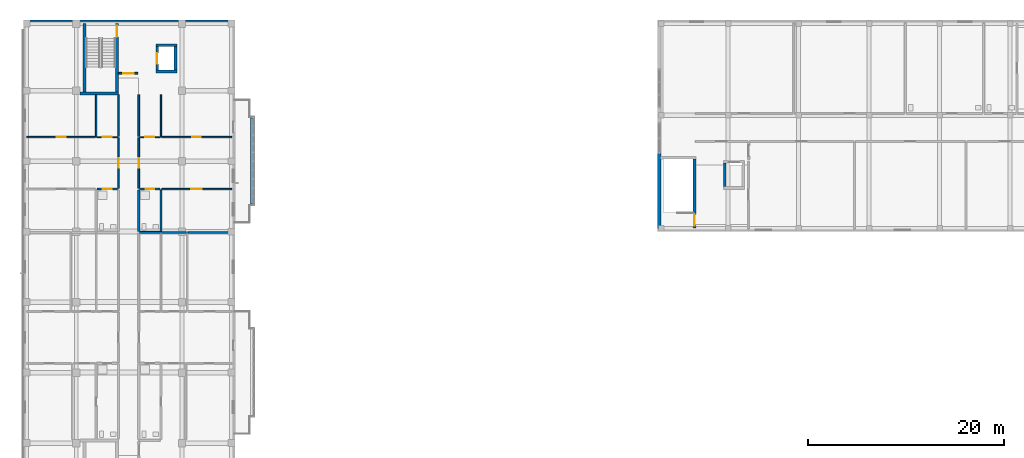
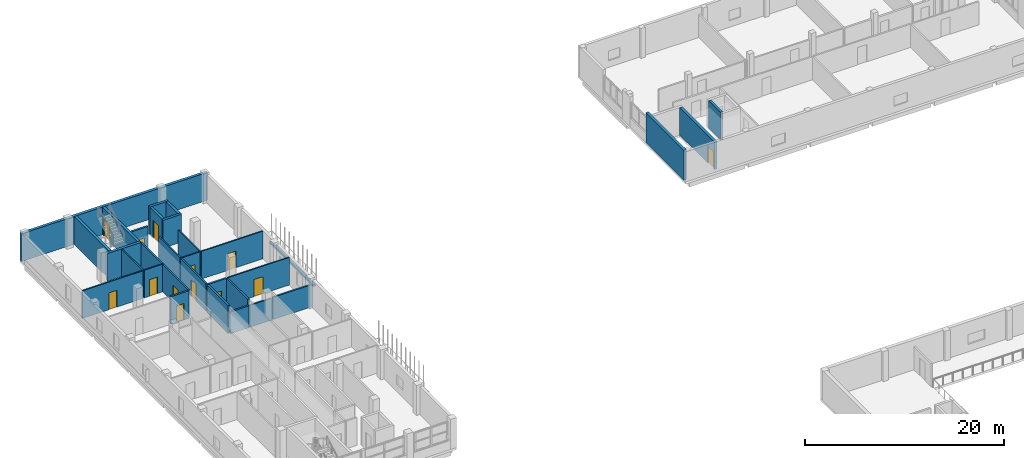
# One storey, part 43 of 73: 31 walls, 13 doors, 13 openings.
"""IFC4 building model written with IfcOpenShell, lengths in metres."""

from ifc_helpers import new_model, si_unit, derived_unit, direction, frame, frame_2d, origin, place, context, subcontext, project, spatial, rectangle, extrude, material, layer, layer_set, type_object, element, fill, save


model = new_model("IFC4")

# Units and contexts
model_context = context("Model", 3, precision=1e-05, world=origin(), true_north=direction((0.0, 1.0)))
body_context = subcontext(model_context, "Body", "Model", "MODEL_VIEW")
ifc_project = project(units=[si_unit("LENGTHUNIT", "METRE"), si_unit("AREAUNIT", "SQUARE_METRE"), si_unit("VOLUMEUNIT", "CUBIC_METRE"), si_unit("PLANEANGLEUNIT", "RADIAN"), si_unit("MASSUNIT", "GRAM", prefix="KILO"), derived_unit("THERMALTRANSMITTANCEUNIT", [(si_unit("MASSUNIT", "GRAM", prefix="KILO"), 1), (si_unit("TIMEUNIT", "SECOND"), -3), (si_unit("THERMODYNAMICTEMPERATUREUNIT", "KELVIN"), -1)])], contexts=[model_context])

# Site, building, storey
site_placement = place(None, origin())
site = spatial("IfcSite", under=ifc_project, at=site_placement, CompositionType="ELEMENT")
building_placement = place(site_placement, origin())
building = spatial("IfcBuilding", under=site, at=building_placement, Name="Ochrekiln Boulevard Commons", CompositionType="ELEMENT")
storey_placement = place(building_placement, frame((0.0, 0.0, 4.89990234375)))
storey = spatial("IfcBuildingStorey", under=building, at=storey_placement, Name="L01", CompositionType="ELEMENT", Elevation=4.89990234375)

# Walls
ifc_material_1 = material(Name="Desert ochre clinker brick masonry ASTM C216 Grade SW", Category="masonry")
ifc_layer_1 = layer(ifc_material_1, 0.320068359375)
ifc_layer_set_1 = layer_set([ifc_layer_1], Name="Desert ochre clinker brick masonry ASTM C216 Grade SW")
wall_type_1 = type_object("IfcWallType", Name="WL-EXT-OCHRE-320", PredefinedType="SOLIDWALL", material=ifc_layer_set_1)
wall_1_placement = place(storey_placement, frame((0.0, 118.639892578125, 0.0), z_axis=(0.0, 0.0, 1.0), x_axis=(1.0, 0.0, 0.0)))
element("IfcWall", 1, at=wall_1_placement, inside=storey, type_object=wall_type_1, Name="Block A L01 N Exterior Wall", PredefinedType="SOLIDWALL", context=body_context, shape_type="SweptSolid", body=[
    extrude(rectangle(XDim=21.60009765625, YDim=0.320068359375, at=frame_2d((10.800048828125, 0.0))), origin(), (0.0, 0.0, 1.0), 3.4150390625),
])
wall_2_placement = place(storey_placement, frame((64.9599609375, 97.52001953125, 0.0), z_axis=(0.0, 0.0, 1.0), x_axis=(0.0, 1.0, 0.0)))
element("IfcWall", 2, at=wall_2_placement, inside=storey, type_object=wall_type_1, Name="Nursery Pavilion L01 W South Pier Wall", PredefinedType="SOLIDWALL", context=body_context, shape_type="SweptSolid", body=[
    extrude(rectangle(XDim=7.64990234375, YDim=0.320068359375, at=frame_2d((3.824951171875, 0.0))), origin(), (0.0, 0.0, 1.0), 3.675048828125),
])

# Wall, opening, door
ifc_material_2 = material(Name="Moisture-resistant cementitious tile backer wall")
ifc_layer_2 = layer(ifc_material_2, 0.199951171875)
ifc_layer_set_2 = layer_set([ifc_layer_2], Name="Moisture-resistant cementitious tile backer wall")
wall_type_2 = type_object("IfcWallType", Name="WL-PLM-200", PredefinedType="PLUMBINGWALL", material=ifc_layer_set_2)
wall_3_placement = place(storey_placement, frame((7.52001953125, 101.547119140625, 0.0), z_axis=(0.0, 0.0, 1.0), x_axis=(1.0, 0.0, 0.0)))
wall_3 = element("IfcWall", 3, at=wall_3_placement, inside=storey, type_object=wall_type_2, Name="L01 Interior Wall W-PW200", PredefinedType="PLUMBINGWALL", context=body_context, shape_type="SweptSolid", body=[
    extrude(rectangle(XDim=2.10791015625, YDim=0.199951171875, at=frame_2d((1.053955078125, 0.0))), origin(), (0.0, 0.0, 1.0), 3.39501953125),
])
opening_1_placement = place(wall_3_placement, frame((0.60498046875, 0.0, 0.0)))
opening_1 = element("IfcOpeningElement", 4, at=opening_1_placement, cuts=wall_3, Name="Opening D-L01-162", PredefinedType="OPENING", context=body_context, shape_type="SweptSolid", body=[
    extrude(rectangle(XDim=0.889892578125, YDim=2.030029296875, at=frame_2d((0.44482421875, 1.01513671875))), frame((0.0, 0.10986328125, 0.0), z_axis=(0.0, -1.0, 0.0), x_axis=(1.0, 0.0, 0.0)), (0.0, 0.0, 1.0), 0.219970703125),
])
ifc_material_3 = material(Name="Solid core architectural oak door leaf")
door_type_1 = type_object("IfcDoorType", Name="DR-INT-BTH-089", OperationType="NOTDEFINED", PredefinedType="DOOR", material=ifc_material_3)
door_1_placement = place(opening_1_placement, frame((0.889892578125, 0.0, 0.0), z_axis=(0.0, 0.0, 1.0), x_axis=(-1.0, 0.0, 0.0)))
door_1 = element("IfcDoor", 5, at=door_1_placement, inside=storey, type_object=door_type_1, Name="L01 Interior Door to Apartment Bathroom", OperationType="SINGLE_SWING_RIGHT", OverallHeight=2.030029296875, OverallWidth=0.889892578125, PredefinedType="DOOR", context=body_context, shape_type="SweptSolid", body=[
    extrude(rectangle(XDim=0.889892578125, YDim=2.030029296875, at=frame_2d((0.44482421875, 1.01513671875))), frame((0.0, 0.02490234375, 0.0), z_axis=(0.0, -1.0, 0.0), x_axis=(1.0, 0.0, 0.0)), (0.0, 0.0, 1.0), 0.050048828125),
])
fill(opening_1, door_1)

# Wall
wall_4_placement = place(storey_placement, frame((11.8720703125, 97.1201171875, 0.0), z_axis=(0.0, 0.0, 1.0), x_axis=(1.0, 0.0, 0.0)))
element("IfcWall", 6, at=wall_4_placement, inside=storey, type_object=wall_type_2, Name="L01 Interior Wall W-PW200", PredefinedType="PLUMBINGWALL", context=body_context, shape_type="SweptSolid", body=[
    extrude(rectangle(XDim=2.1279296875, YDim=0.199951171875, at=frame_2d((1.06396484375, 0.0))), origin(), (0.0, 0.0, 1.0), 2.68505859375),
])

# Wall, opening, door
wall_5_placement = place(storey_placement, frame((11.8720703125, 101.547119140625, 0.0), z_axis=(0.0, 0.0, 1.0), x_axis=(1.0, 0.0, 0.0)))
wall_5 = element("IfcWall", 7, at=wall_5_placement, inside=storey, type_object=wall_type_2, Name="L01 Interior Wall W-PW200", PredefinedType="PLUMBINGWALL", context=body_context, shape_type="SweptSolid", body=[
    extrude(rectangle(XDim=2.10791015625, YDim=0.199951171875, at=frame_2d((1.053955078125, 0.0))), origin(), (0.0, 0.0, 1.0), 3.39501953125),
])
opening_2_placement = place(wall_5_placement, frame((0.613037109375, 0.0, 0.0)))
opening_2 = element("IfcOpeningElement", 8, at=opening_2_placement, cuts=wall_5, Name="Opening D-L01-173", PredefinedType="OPENING", context=body_context, shape_type="SweptSolid", body=[
    extrude(rectangle(XDim=0.889892578125, YDim=2.030029296875, at=frame_2d((0.44482421875, 1.01513671875))), frame((0.0, 0.10986328125, 0.0), z_axis=(0.0, -1.0, 0.0), x_axis=(1.0, 0.0, 0.0)), (0.0, 0.0, 1.0), 0.219970703125),
])
door_2_placement = place(opening_2_placement, frame((0.889892578125, 0.0, 0.0), z_axis=(0.0, 0.0, 1.0), x_axis=(-1.0, 0.0, 0.0)))
door_2 = element("IfcDoor", 9, at=door_2_placement, inside=storey, type_object=door_type_1, Name="L01 Interior Door to Apartment Bathroom", OperationType="SINGLE_SWING_LEFT", OverallHeight=2.030029296875, OverallWidth=0.889892578125, PredefinedType="DOOR", context=body_context, shape_type="SweptSolid", body=[
    extrude(rectangle(XDim=0.889892578125, YDim=2.030029296875, at=frame_2d((0.44482421875, 1.01513671875))), frame((0.0, 0.02490234375, 0.0), z_axis=(0.0, -1.0, 0.0), x_axis=(1.0, 0.0, 0.0)), (0.0, 0.0, 1.0), 0.050048828125),
])
fill(opening_2, door_2)

# Walls
wall_6_placement = place(storey_placement, frame((14.06005859375, 97.2099609375, 0.0), z_axis=(0.0, 0.0, 1.0), x_axis=(0.0, 1.0, 0.0)))
element("IfcWall", 10, at=wall_6_placement, inside=storey, type_object=wall_type_2, Name="L01 Interior Wall W-PW200", PredefinedType="PLUMBINGWALL", context=body_context, shape_type="SweptSolid", body=[
    extrude(rectangle(XDim=4.257080078125, YDim=0.199951171875, at=frame_2d((2.12841796875, 0.0))), origin(), (0.0, 0.0, 1.0), 3.39501953125),
])
ifc_layer_3 = layer(ifc_material_2, 0.219970703125)
ifc_layer_set_3 = layer_set([ifc_layer_3], Name="Moisture-resistant cementitious tile backer wall")
wall_type_3 = type_object("IfcWallType", Name="WL-PLM-220", PredefinedType="PLUMBINGWALL", material=ifc_layer_set_3)
wall_7_placement = place(storey_placement, frame((11.7900390625, 97.2099609375, 0.0), z_axis=(0.0, 0.0, 1.0), x_axis=(0.0, 1.0, 0.0)))
element("IfcWall", 11, at=wall_7_placement, inside=storey, type_object=wall_type_3, Name="L01 Interior Wall W-PW220", PredefinedType="PLUMBINGWALL", context=body_context, shape_type="SweptSolid", body=[
    extrude(rectangle(XDim=4.257080078125, YDim=0.219970703125, at=frame_2d((2.12841796875, 0.0))), origin(), (0.0, 0.0, 1.0), 3.39501953125),
])
ifc_material_4 = material(Name="Glazed architectural terracotta ASTM C1405", Category="masonry")
ifc_layer_4 = layer(ifc_material_4, 0.25)
ifc_layer_set_4 = layer_set([ifc_layer_4], Name="Glazed architectural terracotta ASTM C1405")
wall_type_4 = type_object("IfcWallType", Name="WL-PLN-250", PredefinedType="PARAPET", material=ifc_layer_set_4)
wall_8_placement = place(storey_placement, frame((23.320068359375, 100.010009765625, 0.0), z_axis=(0.0, 0.0, 1.0), x_axis=(0.0, 1.0, 0.0)))
element("IfcWall", 12, at=wall_8_placement, inside=storey, type_object=wall_type_4, Name="Block A L01 Balcony Terracotta Planter Box 2", PredefinedType="PARAPET", context=body_context, shape_type="SweptSolid", body=[
    extrude(rectangle(XDim=8.780029296875, YDim=0.25, at=frame_2d((4.39013671875, 0.0))), origin(), (0.0, 0.0, 1.0), 0.22998046875),
])

# Wall, opening, door
ifc_material_5 = material(Name="Fire-rated Type X gypsum board on steel studs", Category="steel")
ifc_layer_5 = layer(ifc_material_5, 0.1650390625)
ifc_layer_set_5 = layer_set([ifc_layer_5], Name="Fire-rated Type X gypsum board on steel studs")
wall_type_5 = type_object("IfcWallType", Name="WL-PT-CORR-165", PredefinedType="PARTITIONING", material=ifc_layer_set_5)
wall_9_placement = place(storey_placement, frame((9.7099609375, 101.626953125, 0.0), z_axis=(0.0, 0.0, 1.0), x_axis=(0.0, 1.0, 0.0)))
wall_9 = element("IfcWall", 13, at=wall_9_placement, inside=storey, type_object=wall_type_5, Name="L01 Interior Wall W-PC165", PredefinedType="PARTITIONING", context=body_context, shape_type="SweptSolid", body=[
    extrude(rectangle(XDim=5.156005859375, YDim=0.1650390625, at=frame_2d((2.578125, 0.0))), origin(), (0.0, 0.0, 1.0), 3.39501953125),
])
opening_3_placement = place(wall_9_placement, frame((2.087890625, 0.0, 0.0)))
opening_3 = element("IfcOpeningElement", 14, at=opening_3_placement, cuts=wall_9, Name="Opening D-L01-152", PredefinedType="OPENING", context=body_context, shape_type="SweptSolid", body=[
    extrude(rectangle(XDim=0.97998046875, YDim=2.080078125, at=frame_2d((0.489990234375, 1.0400390625))), frame((0.0, 0.092529296875, 0.0), z_axis=(0.0, -1.0, 0.0), x_axis=(1.0, 0.0, 0.0)), (0.0, 0.0, 1.0), 0.18505859375),
])
door_type_2 = type_object("IfcDoorType", Name="DR-APT-60", OperationType="NOTDEFINED", PredefinedType="DOOR", material=ifc_material_3)
door_3_placement = place(opening_3_placement, origin())
door_3 = element("IfcDoor", 15, at=door_3_placement, inside=storey, type_object=door_type_2, Name="L01 Interior Door to Two-Bedroom Apartment Living Room", OperationType="SINGLE_SWING_RIGHT", OverallHeight=2.080078125, OverallWidth=0.97998046875, PredefinedType="DOOR", context=body_context, shape_type="SweptSolid", body=[
    extrude(rectangle(XDim=0.97998046875, YDim=2.080078125, at=frame_2d((0.489990234375, 1.0400390625))), frame((0.0, 0.02490234375, 0.0), z_axis=(0.0, -1.0, 0.0), x_axis=(1.0, 0.0, 0.0)), (0.0, 0.0, 1.0), 0.050048828125),
])
fill(opening_3, door_3)

# Wall
wall_10_placement = place(storey_placement, frame((9.7099609375, 106.943115234375, 0.0), z_axis=(0.0, 0.0, 1.0), x_axis=(0.0, 1.0, 0.0)))
element("IfcWall", 16, at=wall_10_placement, inside=storey, type_object=wall_type_5, Name="L01 Interior Wall W-PC165", PredefinedType="PARTITIONING", context=body_context, shape_type="SweptSolid", body=[
    extrude(rectangle(XDim=4.2568359375, YDim=0.1650390625, at=frame_2d((2.12841796875, 0.0))), origin(), (0.0, 0.0, 1.0), 3.39501953125),
])

# Wall, opening, door
wall_11_placement = place(storey_placement, frame((11.7900390625, 101.626953125, 0.0), z_axis=(0.0, 0.0, 1.0), x_axis=(0.0, 1.0, 0.0)))
wall_11 = element("IfcWall", 17, at=wall_11_placement, inside=storey, type_object=wall_type_5, Name="L01 Interior Wall W-PC165", PredefinedType="PARTITIONING", context=body_context, shape_type="SweptSolid", body=[
    extrude(rectangle(XDim=5.156005859375, YDim=0.1650390625, at=frame_2d((2.578125, 0.0))), origin(), (0.0, 0.0, 1.0), 3.39501953125),
])
opening_4_placement = place(wall_11_placement, frame((2.087890625, 0.0, 0.0)))
opening_4 = element("IfcOpeningElement", 18, at=opening_4_placement, cuts=wall_11, Name="Opening D-L01-154", PredefinedType="OPENING", context=body_context, shape_type="SweptSolid", body=[
    extrude(rectangle(XDim=0.97998046875, YDim=2.080078125, at=frame_2d((0.489990234375, 1.0400390625))), frame((0.0, 0.092529296875, 0.0), z_axis=(0.0, -1.0, 0.0), x_axis=(1.0, 0.0, 0.0)), (0.0, 0.0, 1.0), 0.18505859375),
])
door_4_placement = place(opening_4_placement, frame((0.97998046875, 0.0, 0.0), z_axis=(0.0, 0.0, 1.0), x_axis=(-1.0, 0.0, 0.0)))
door_4 = element("IfcDoor", 19, at=door_4_placement, inside=storey, type_object=door_type_2, Name="L01 Interior Door to Two-Bedroom Apartment Living Room", OperationType="SINGLE_SWING_RIGHT", OverallHeight=2.080078125, OverallWidth=0.97998046875, PredefinedType="DOOR", context=body_context, shape_type="SweptSolid", body=[
    extrude(rectangle(XDim=0.97998046875, YDim=2.080078125, at=frame_2d((0.489990234375, 1.0400390625))), frame((0.0, 0.02490234375, 0.0), z_axis=(0.0, -1.0, 0.0), x_axis=(1.0, 0.0, 0.0)), (0.0, 0.0, 1.0), 0.050048828125),
])
fill(opening_4, door_4)

# Walls
wall_12_placement = place(storey_placement, frame((11.7900390625, 106.943115234375, 0.0), z_axis=(0.0, 0.0, 1.0), x_axis=(0.0, 1.0, 0.0)))
element("IfcWall", 20, at=wall_12_placement, inside=storey, type_object=wall_type_5, Name="L01 Interior Wall W-PC165", PredefinedType="PARTITIONING", context=body_context, shape_type="SweptSolid", body=[
    extrude(rectangle(XDim=4.2568359375, YDim=0.1650390625, at=frame_2d((2.12841796875, 0.0))), origin(), (0.0, 0.0, 1.0), 3.39501953125),
])
ifc_layer_6 = layer(ifc_material_5, 0.179931640625)
ifc_layer_set_6 = layer_set([ifc_layer_6], Name="Fire-rated Type X gypsum board on steel studs")
wall_type_6 = type_object("IfcWallType", Name="WL-PT-DEM-180", PredefinedType="PARTITIONING", material=ifc_layer_set_6)
wall_13_placement = place(storey_placement, frame((16.81494140625, 97.1201171875, 0.0), z_axis=(0.0, 0.0, 1.0), x_axis=(1.0, 0.0, 0.0)))
element("IfcWall", 21, at=wall_13_placement, inside=storey, type_object=wall_type_6, Name="L01 Interior Wall W-PD180", PredefinedType="PARTITIONING", context=body_context, shape_type="SweptSolid", body=[
    extrude(rectangle(XDim=4.465087890625, YDim=0.179931640625, at=frame_2d((2.232421875, 0.0))), origin(), (0.0, 0.0, 1.0), 2.735107421875),
])
wall_14_placement = place(storey_placement, frame((14.1201171875, 97.1201171875, 0.0), z_axis=(0.0, 0.0, 1.0), x_axis=(1.0, 0.0, 0.0)))
element("IfcWall", 22, at=wall_14_placement, inside=storey, type_object=wall_type_6, Name="L01 Interior Wall W-PD180", PredefinedType="PARTITIONING", context=body_context, shape_type="SweptSolid", body=[
    extrude(rectangle(XDim=2.539794921875, YDim=0.179931640625, at=frame_2d((1.27001953125, 0.0))), origin(), (0.0, 0.0, 1.0), 2.68505859375),
])

# Wall, opening, door
ifc_layer_7 = layer(ifc_material_5, 0.18994140625)
ifc_layer_set_7 = layer_set([ifc_layer_7], Name="Fire-rated Type X gypsum board on steel studs")
wall_type_7 = type_object("IfcWallType", Name="WL-PT-LBY-190", PredefinedType="PARTITIONING", material=ifc_layer_set_7)
wall_15_placement = place(storey_placement, frame((9.699951171875, 113.3798828125, 0.0), z_axis=(0.0, 0.0, 1.0), x_axis=(1.0, 0.0, 0.0)))
wall_15 = element("IfcWall", 23, at=wall_15_placement, inside=storey, type_object=wall_type_7, Name="L01 Interior Wall W-PL190", PredefinedType="PARTITIONING", context=body_context, shape_type="SweptSolid", body=[
    extrude(rectangle(XDim=2.0, YDim=0.18994140625, at=frame_2d((1.0, 0.0))), origin(), (0.0, 0.0, 1.0), 3.39501953125),
])
opening_5_placement = place(wall_15_placement, frame((0.5, 0.0, 0.0)))
opening_5 = element("IfcOpeningElement", 24, at=opening_5_placement, cuts=wall_15, Name="Opening D-L01-149", PredefinedType="OPENING", context=body_context, shape_type="SweptSolid", body=[
    extrude(rectangle(XDim=1.10009765625, YDim=2.1201171875, at=frame_2d((0.550048828125, 1.06005859375))), frame((0.0, 0.10498046875, 0.0), z_axis=(0.0, -1.0, 0.0), x_axis=(1.0, 0.0, 0.0)), (0.0, 0.0, 1.0), 0.2099609375),
])
ifc_material_6 = material(Name="Hollow metal fire-rated steel door assembly", Category="steel")
door_type_3 = type_object("IfcDoorType", Name="DR-LOBBY-60", OperationType="NOTDEFINED", PredefinedType="DOOR", material=ifc_material_6)
door_5_placement = place(opening_5_placement, origin())
door_5 = element("IfcDoor", 25, at=door_5_placement, inside=storey, type_object=door_type_3, Name="L01 Interior Door to Fire Service Access Elevator Lobby", OperationType="SINGLE_SWING_LEFT", OverallHeight=2.1201171875, OverallWidth=1.10009765625, PredefinedType="DOOR", context=body_context, shape_type="SweptSolid", body=[
    extrude(rectangle(XDim=1.10009765625, YDim=2.1201171875, at=frame_2d((0.550048828125, 1.06005859375))), frame((0.0, 0.02490234375, 0.0), z_axis=(0.0, -1.0, 0.0), x_axis=(1.0, 0.0, 0.0)), (0.0, 0.0, 1.0), 0.050048828125),
])
fill(opening_5, door_5)

ifc_layer_8 = layer(ifc_material_5, 0.1201171875)
ifc_layer_set_8 = layer_set([ifc_layer_8], Name="Fire-rated Type X gypsum board on steel studs")
wall_type_8 = type_object("IfcWallType", Name="WL-PT-LGT-120", PredefinedType="PARTITIONING", material=ifc_layer_set_8)
wall_16_placement = place(storey_placement, frame((7.52001953125, 106.863037109375, 0.0), z_axis=(0.0, 0.0, 1.0), x_axis=(1.0, 0.0, 0.0)))
wall_16 = element("IfcWall", 26, at=wall_16_placement, inside=storey, type_object=wall_type_8, Name="L01 Interior Wall W-PL120", PredefinedType="PARTITIONING", context=body_context, shape_type="SweptSolid", body=[
    extrude(rectangle(XDim=2.10791015625, YDim=0.1201171875, at=frame_2d((1.053955078125, 0.0))), origin(), (0.0, 0.0, 1.0), 3.39501953125),
])
opening_6_placement = place(wall_16_placement, frame((0.590087890625, 0.0, 0.0)))
opening_6 = element("IfcOpeningElement", 27, at=opening_6_placement, cuts=wall_16, Name="Opening D-L01-163", PredefinedType="OPENING", context=body_context, shape_type="SweptSolid", body=[
    extrude(rectangle(XDim=0.919921875, YDim=2.02001953125, at=frame_2d((0.4599609375, 1.010009765625))), frame((0.0, 0.070068359375, 0.0), z_axis=(0.0, -1.0, 0.0), x_axis=(1.0, 0.0, 0.0)), (0.0, 0.0, 1.0), 0.14013671875),
])
door_type_4 = type_object("IfcDoorType", Name="DR-INT-KIT-092", OperationType="NOTDEFINED", PredefinedType="DOOR", material=ifc_material_3)
door_6_placement = place(opening_6_placement, origin())
door_6 = element("IfcDoor", 28, at=door_6_placement, inside=storey, type_object=door_type_4, Name="L01 Interior Door to Apartment Kitchen", OperationType="SINGLE_SWING_LEFT", OverallHeight=2.02001953125, OverallWidth=0.919921875, PredefinedType="DOOR", context=body_context, shape_type="SweptSolid", body=[
    extrude(rectangle(XDim=0.919921875, YDim=2.02001953125, at=frame_2d((0.4599609375, 1.010009765625))), frame((0.0, 0.02490234375, 0.0), z_axis=(0.0, -1.0, 0.0), x_axis=(1.0, 0.0, 0.0)), (0.0, 0.0, 1.0), 0.050048828125),
])
fill(opening_6, door_6)

wall_17_placement = place(storey_placement, frame((11.8720703125, 106.863037109375, 0.0), z_axis=(0.0, 0.0, 1.0), x_axis=(1.0, 0.0, 0.0)))
wall_17 = element("IfcWall", 29, at=wall_17_placement, inside=storey, type_object=wall_type_8, Name="L01 Interior Wall W-PL120", PredefinedType="PARTITIONING", context=body_context, shape_type="SweptSolid", body=[
    extrude(rectangle(XDim=2.10791015625, YDim=0.1201171875, at=frame_2d((1.053955078125, 0.0))), origin(), (0.0, 0.0, 1.0), 3.39501953125),
])
opening_7_placement = place(wall_17_placement, frame((0.597900390625, 0.0, 0.0)))
opening_7 = element("IfcOpeningElement", 30, at=opening_7_placement, cuts=wall_17, Name="Opening D-L01-174", PredefinedType="OPENING", context=body_context, shape_type="SweptSolid", body=[
    extrude(rectangle(XDim=0.919921875, YDim=2.02001953125, at=frame_2d((0.4599609375, 1.010009765625))), frame((0.0, 0.070068359375, 0.0), z_axis=(0.0, -1.0, 0.0), x_axis=(1.0, 0.0, 0.0)), (0.0, 0.0, 1.0), 0.14013671875),
])
door_7_placement = place(opening_7_placement, origin())
door_7 = element("IfcDoor", 31, at=door_7_placement, inside=storey, type_object=door_type_4, Name="L01 Interior Door to Apartment Kitchen", OperationType="SINGLE_SWING_RIGHT", OverallHeight=2.02001953125, OverallWidth=0.919921875, PredefinedType="DOOR", context=body_context, shape_type="SweptSolid", body=[
    extrude(rectangle(XDim=0.919921875, YDim=2.02001953125, at=frame_2d((0.4599609375, 1.010009765625))), frame((0.0, 0.02490234375, 0.0), z_axis=(0.0, -1.0, 0.0), x_axis=(1.0, 0.0, 0.0)), (0.0, 0.0, 1.0), 0.050048828125),
])
fill(opening_7, door_7)

ifc_layer_9 = layer(ifc_material_5, 0.14990234375)
ifc_layer_set_9 = layer_set([ifc_layer_9], Name="Fire-rated Type X gypsum board on steel studs")
wall_type_9 = type_object("IfcWallType", Name="WL-PT-STD-150", PredefinedType="PARTITIONING", material=ifc_layer_set_9)
wall_18_placement = place(storey_placement, frame((0.320068359375, 106.863037109375, 0.0), z_axis=(0.0, 0.0, 1.0), x_axis=(1.0, 0.0, 0.0)))
wall_18 = element("IfcWall", 32, at=wall_18_placement, inside=storey, type_object=wall_type_9, Name="L01 Interior Wall W-PS150", PredefinedType="PARTITIONING", context=body_context, shape_type="SweptSolid", body=[
    extrude(rectangle(XDim=7.0400390625, YDim=0.14990234375, at=frame_2d((3.52001953125, 0.0))), origin(), (0.0, 0.0, 1.0), 3.39501953125),
])
opening_8_placement = place(wall_18_placement, frame((3.06494140625, 0.0, 0.0)))
opening_8 = element("IfcOpeningElement", 33, at=opening_8_placement, cuts=wall_18, Name="Opening D-L01-165", PredefinedType="OPENING", context=body_context, shape_type="SweptSolid", body=[
    extrude(rectangle(XDim=0.93994140625, YDim=2.06005859375, at=frame_2d((0.469970703125, 1.030029296875))), frame((0.0, 0.0849609375, 0.0), z_axis=(0.0, -1.0, 0.0), x_axis=(1.0, 0.0, 0.0)), (0.0, 0.0, 1.0), 0.169921875),
])
door_type_5 = type_object("IfcDoorType", Name="DR-INT-BED-094", OperationType="NOTDEFINED", PredefinedType="DOOR", material=ifc_material_3)
door_8_placement = place(opening_8_placement, origin())
door_8 = element("IfcDoor", 34, at=door_8_placement, inside=storey, type_object=door_type_5, Name="L01 Interior Door to Secondary Apartment Bedroom", OperationType="SINGLE_SWING_LEFT", OverallHeight=2.06005859375, OverallWidth=0.93994140625, PredefinedType="DOOR", context=body_context, shape_type="SweptSolid", body=[
    extrude(rectangle(XDim=0.93994140625, YDim=2.06005859375, at=frame_2d((0.469970703125, 1.030029296875))), frame((0.0, 0.02490234375, 0.0), z_axis=(0.0, -1.0, 0.0), x_axis=(1.0, 0.0, 0.0)), (0.0, 0.0, 1.0), 0.050048828125),
])
fill(opening_8, door_8)

# Wall
wall_19_placement = place(storey_placement, frame((7.43994140625, 106.923095703125, 0.0), z_axis=(0.0, 0.0, 1.0), x_axis=(0.0, 1.0, 0.0)))
element("IfcWall", 35, at=wall_19_placement, inside=storey, type_object=wall_type_9, Name="L01 Interior Wall W-PS150", PredefinedType="PARTITIONING", context=body_context, shape_type="SweptSolid", body=[
    extrude(rectangle(XDim=4.27685546875, YDim=0.14990234375, at=frame_2d((2.138427734375, 0.0))), origin(), (0.0, 0.0, 1.0), 3.39501953125),
])

# Wall, opening, door
wall_20_placement = place(storey_placement, frame((14.139892578125, 101.547119140625, 0.0), z_axis=(0.0, 0.0, 1.0), x_axis=(1.0, 0.0, 0.0)))
wall_20 = element("IfcWall", 36, at=wall_20_placement, inside=storey, type_object=wall_type_9, Name="L01 Interior Wall W-PS150", PredefinedType="PARTITIONING", context=body_context, shape_type="SweptSolid", body=[
    extrude(rectangle(XDim=7.14013671875, YDim=0.14990234375, at=frame_2d((3.570068359375, 0.0))), origin(), (0.0, 0.0, 1.0), 3.39501953125),
])
opening_9_placement = place(wall_20_placement, frame((3.014892578125, 0.0, 0.0)))
opening_9 = element("IfcOpeningElement", 37, at=opening_9_placement, cuts=wall_20, Name="Opening D-L01-175", PredefinedType="OPENING", context=body_context, shape_type="SweptSolid", body=[
    extrude(rectangle(XDim=1.080078125, YDim=2.10009765625, at=frame_2d((0.5400390625, 1.050048828125))), frame((0.0, 0.0849609375, 0.0), z_axis=(0.0, -1.0, 0.0), x_axis=(1.0, 0.0, 0.0)), (0.0, 0.0, 1.0), 0.169921875),
])
door_type_6 = type_object("IfcDoorType", Name="DR-INT-BED-108", OperationType="NOTDEFINED", PredefinedType="DOOR", material=ifc_material_3)
door_9_placement = place(opening_9_placement, frame((1.080078125, 0.0, 0.0), z_axis=(0.0, 0.0, 1.0), x_axis=(-1.0, 0.0, 0.0)))
door_9 = element("IfcDoor", 38, at=door_9_placement, inside=storey, type_object=door_type_6, Name="L01 Interior Door to Primary Apartment Bedroom", OperationType="SINGLE_SWING_LEFT", OverallHeight=2.10009765625, OverallWidth=1.080078125, PredefinedType="DOOR", context=body_context, shape_type="SweptSolid", body=[
    extrude(rectangle(XDim=1.080078125, YDim=2.10009765625, at=frame_2d((0.5400390625, 1.050048828125))), frame((0.0, 0.02490234375, 0.0), z_axis=(0.0, -1.0, 0.0), x_axis=(1.0, 0.0, 0.0)), (0.0, 0.0, 1.0), 0.050048828125),
])
fill(opening_9, door_9)

wall_21_placement = place(storey_placement, frame((14.139892578125, 106.863037109375, 0.0), z_axis=(0.0, 0.0, 1.0), x_axis=(1.0, 0.0, 0.0)))
wall_21 = element("IfcWall", 39, at=wall_21_placement, inside=storey, type_object=wall_type_9, Name="L01 Interior Wall W-PS150", PredefinedType="PARTITIONING", context=body_context, shape_type="SweptSolid", body=[
    extrude(rectangle(XDim=7.14013671875, YDim=0.14990234375, at=frame_2d((3.570068359375, 0.0))), origin(), (0.0, 0.0, 1.0), 3.39501953125),
])
opening_10_placement = place(wall_21_placement, frame((3.10498046875, 0.0, 0.0)))
opening_10 = element("IfcOpeningElement", 40, at=opening_10_placement, cuts=wall_21, Name="Opening D-L01-176", PredefinedType="OPENING", context=body_context, shape_type="SweptSolid", body=[
    extrude(rectangle(XDim=0.89990234375, YDim=2.0400390625, at=frame_2d((0.449951171875, 1.02001953125))), frame((0.0, 0.0849609375, 0.0), z_axis=(0.0, -1.0, 0.0), x_axis=(1.0, 0.0, 0.0)), (0.0, 0.0, 1.0), 0.169921875),
])
door_type_7 = type_object("IfcDoorType", Name="DR-INT-BED-090", OperationType="NOTDEFINED", PredefinedType="DOOR", material=ifc_material_3)
door_10_placement = place(opening_10_placement, origin())
door_10 = element("IfcDoor", 41, at=door_10_placement, inside=storey, type_object=door_type_7, Name="L01 Interior Door to Secondary Apartment Bedroom", OperationType="SINGLE_SWING_RIGHT", OverallHeight=2.0400390625, OverallWidth=0.89990234375, PredefinedType="DOOR", context=body_context, shape_type="SweptSolid", body=[
    extrude(rectangle(XDim=0.89990234375, YDim=2.0400390625, at=frame_2d((0.449951171875, 1.02001953125))), frame((0.0, 0.02490234375, 0.0), z_axis=(0.0, -1.0, 0.0), x_axis=(1.0, 0.0, 0.0)), (0.0, 0.0, 1.0), 0.050048828125),
])
fill(opening_10, door_10)

# Walls
wall_22_placement = place(storey_placement, frame((14.06005859375, 106.923095703125, 0.0), z_axis=(0.0, 0.0, 1.0), x_axis=(0.0, 1.0, 0.0)))
element("IfcWall", 42, at=wall_22_placement, inside=storey, type_object=wall_type_9, Name="L01 Interior Wall W-PS150", PredefinedType="PARTITIONING", context=body_context, shape_type="SweptSolid", body=[
    extrude(rectangle(XDim=4.27685546875, YDim=0.14990234375, at=frame_2d((2.138427734375, 0.0))), origin(), (0.0, 0.0, 1.0), 3.39501953125),
])
ifc_material_7 = material(Name="Concrete C40/50", Category="concrete")
ifc_layer_10 = layer(ifc_material_7, 0.27490234375)
ifc_layer_set_10 = layer_set([ifc_layer_10], Name="Concrete C40/50")
wall_type_10 = type_object("IfcWallType", Name="WL-SH-275", PredefinedType="SHEAR", material=ifc_layer_set_10)
for number, where, z_axis, x_axis, name in (
    (43, (13.52490234375, 113.5625, 0.0), (0.0, 0.0, 1.0), (1.0, 0.0, 0.0), "Elevator FF-A2 L01 Hoistway Shear Wall"),
    (44, (13.52490234375, 116.237548828125, 0.0), (0.0, 0.0, 1.0), (1.0, 0.0, 0.0), "Elevator FF-A2 L01 Hoistway Shear Wall"),
):
    element("IfcWall", number, at=place(storey_placement, frame(where, z_axis=z_axis, x_axis=x_axis)), inside=storey, type_object=wall_type_10, Name=name, PredefinedType="SHEAR", context=body_context, shape_type="SweptSolid", body=[
        extrude(rectangle(XDim=2.150146484375, YDim=0.27490234375, at=frame_2d((1.0751953125, 0.0))), origin(), (0.0, 0.0, 1.0), 3.4150390625),
    ])

# Wall, opening, door
wall_23_placement = place(storey_placement, frame((13.66259765625, 113.699951171875, 0.0), z_axis=(0.0, 0.0, 1.0), x_axis=(0.0, 1.0, 0.0)))
wall_23 = element("IfcWall", 45, at=wall_23_placement, inside=storey, type_object=wall_type_10, Name="Elevator FF-A2 L01 Hoistway Shear Wall", PredefinedType="SHEAR", context=body_context, shape_type="SweptSolid", body=[
    extrude(rectangle(XDim=2.400146484375, YDim=0.27490234375, at=frame_2d((1.2001953125, 0.0))), origin(), (0.0, 0.0, 1.0), 3.4150390625),
])
opening_11_placement = place(wall_23_placement, frame((0.64990234375, 0.0, 0.0)))
opening_11 = element("IfcOpeningElement", 46, at=opening_11_placement, cuts=wall_23, Name="Opening LD-FF-A2-L01", PredefinedType="OPENING", context=body_context, shape_type="SweptSolid", body=[
    extrude(rectangle(XDim=1.10009765625, YDim=2.14990234375, at=frame_2d((0.550048828125, 1.074951171875))), frame((0.0, 0.1474609375, 0.0), z_axis=(0.0, -1.0, 0.0), x_axis=(1.0, 0.0, 0.0)), (0.0, 0.0, 1.0), 0.294921875),
])
ifc_material_8 = material(Name="Brushed stainless steel 316 elevator cab and doors", Category="steel")
door_type_8 = type_object("IfcDoorType", Name="DR-LIFT-LD90", OperationType="SLIDING_TO_LEFT", PredefinedType="DOOR", material=ifc_material_8)
door_11_placement = place(opening_11_placement, origin())
door_11 = element("IfcDoor", 47, at=door_11_placement, inside=storey, type_object=door_type_8, Name="Elevator FF-A2 L01 Sliding Landing Door LD-FF-A2-L01", OperationType="SLIDING_TO_LEFT", OverallHeight=2.14990234375, OverallWidth=1.10009765625, PredefinedType="DOOR", context=body_context, shape_type="SweptSolid", body=[
    extrude(rectangle(XDim=1.10009765625, YDim=2.14990234375, at=frame_2d((0.550048828125, 1.074951171875))), frame((0.0, 0.02490234375, 0.0), z_axis=(0.0, -1.0, 0.0), x_axis=(1.0, 0.0, 0.0)), (0.0, 0.0, 1.0), 0.050048828125),
])
fill(opening_11, door_11)

# Walls
wall_24_placement = place(storey_placement, frame((15.53759765625, 113.699951171875, 0.0), z_axis=(0.0, 0.0, 1.0), x_axis=(0.0, 1.0, 0.0)))
element("IfcWall", 48, at=wall_24_placement, inside=storey, type_object=wall_type_10, Name="Elevator FF-A2 L01 Hoistway Shear Wall", PredefinedType="SHEAR", context=body_context, shape_type="SweptSolid", body=[
    extrude(rectangle(XDim=2.400146484375, YDim=0.27490234375, at=frame_2d((1.2001953125, 0.0))), origin(), (0.0, 0.0, 1.0), 3.4150390625),
])
wall_25_placement = place(storey_placement, frame((71.66259765625, 101.800048828125, 0.0), z_axis=(0.0, 0.0, 1.0), x_axis=(0.0, 1.0, 0.0)))
element("IfcWall", 49, at=wall_25_placement, inside=storey, type_object=wall_type_10, Name="Elevator LP-N1 L01 Hoistway Shear Wall", PredefinedType="SHEAR", context=body_context, shape_type="SweptSolid", body=[
    extrude(rectangle(XDim=2.39990234375, YDim=0.27490234375, at=frame_2d((1.199951171875, 0.0))), origin(), (0.0, 0.0, 1.0), 3.405029296875),
])
ifc_layer_11 = layer(ifc_material_7, 0.300048828125)
ifc_layer_set_11 = layer_set([ifc_layer_11], Name="Concrete C40/50")
wall_type_11 = type_object("IfcWallType", Name="WL-SH-300", PredefinedType="SHEAR", material=ifc_layer_set_11)
wall_26_placement = place(storey_placement, frame((5.77490234375, 111.330078125, 0.0), z_axis=(0.0, 0.0, 1.0), x_axis=(1.0, 0.0, 0.0)))
element("IfcWall", 50, at=wall_26_placement, inside=storey, type_object=wall_type_11, Name="Stair ST-A2 L01 Core Shear Wall S", PredefinedType="SHEAR", context=body_context, shape_type="SweptSolid", body=[
    extrude(rectangle(XDim=3.925048828125, YDim=0.300048828125, at=frame_2d((1.96240234375, 0.0))), origin(), (0.0, 0.0, 1.0), 3.4150390625),
])
wall_27_placement = place(storey_placement, frame((6.25, 111.47998046875, 0.0), z_axis=(0.0, 0.0, 1.0), x_axis=(0.0, 1.0, 0.0)))
element("IfcWall", 51, at=wall_27_placement, inside=storey, type_object=wall_type_11, Name="Stair ST-A2 L01 Core Shear Wall W", PredefinedType="SHEAR", context=body_context, shape_type="SweptSolid", body=[
    extrude(rectangle(XDim=7.0, YDim=0.300048828125, at=frame_2d((3.5, 0.0))), origin(), (0.0, 0.0, 1.0), 3.4150390625),
])

# Wall, opening, door
wall_28_placement = place(storey_placement, frame((9.550048828125, 111.47998046875, 0.0), z_axis=(0.0, 0.0, 1.0), x_axis=(0.0, 1.0, 0.0)))
wall_28 = element("IfcWall", 52, at=wall_28_placement, inside=storey, type_object=wall_type_11, Name="Stair ST-A2 L01 Core Shear Wall E", PredefinedType="SHEAR", context=body_context, shape_type="SweptSolid", body=[
    extrude(rectangle(XDim=7.0, YDim=0.300048828125, at=frame_2d((3.5, 0.0))), origin(), (0.0, 0.0, 1.0), 3.4150390625),
])
opening_12_placement = place(wall_28_placement, frame((5.625, 0.0, 0.0)))
opening_12 = element("IfcOpeningElement", 53, at=opening_12_placement, cuts=wall_28, Name="Opening D-L01-ST-A2", PredefinedType="OPENING", context=body_context, shape_type="SweptSolid", body=[
    extrude(rectangle(XDim=1.14990234375, YDim=2.1201171875, at=frame_2d((0.574951171875, 1.06005859375))), frame((0.0, 0.159912109375, 0.0), z_axis=(0.0, -1.0, 0.0), x_axis=(1.0, 0.0, 0.0)), (0.0, 0.0, 1.0), 0.320068359375),
])
door_type_9 = type_object("IfcDoorType", Name="DR-STAIR-90", OperationType="NOTDEFINED", PredefinedType="DOOR", material=ifc_material_6)
door_12_placement = place(opening_12_placement, origin())
door_12 = element("IfcDoor", 54, at=door_12_placement, inside=storey, type_object=door_type_9, Name="Enclosed Exit Stair ST-A2 L01 Rated Door", OperationType="SINGLE_SWING_LEFT", OverallHeight=2.1201171875, OverallWidth=1.14990234375, PredefinedType="DOOR", context=body_context, shape_type="SweptSolid", body=[
    extrude(rectangle(XDim=1.14990234375, YDim=2.1201171875, at=frame_2d((0.574951171875, 1.06005859375))), frame((0.0, 0.02490234375, 0.0), z_axis=(0.0, -1.0, 0.0), x_axis=(1.0, 0.0, 0.0)), (0.0, 0.0, 1.0), 0.050048828125),
])
fill(opening_12, door_12)

wall_29_placement = place(storey_placement, frame((68.550048828125, 97.60009765625, 0.0), z_axis=(0.0, 0.0, 1.0), x_axis=(0.0, 1.0, 0.0)))
wall_29 = element("IfcWall", 55, at=wall_29_placement, inside=storey, type_object=wall_type_11, Name="Stair ST-N1 L01 Core Shear Wall E", PredefinedType="SHEAR", context=body_context, shape_type="SweptSolid", body=[
    extrude(rectangle(XDim=7.0, YDim=0.300048828125, at=frame_2d((3.5, 0.0))), origin(), (0.0, 0.0, 1.0), 3.405029296875),
])
opening_13_placement = place(wall_29_placement, frame((0.22509765625, 0.0, 0.0)))
opening_13 = element("IfcOpeningElement", 56, at=opening_13_placement, cuts=wall_29, Name="Opening D-L01-ST-N1", PredefinedType="OPENING", context=body_context, shape_type="SweptSolid", body=[
    extrude(rectangle(XDim=1.14990234375, YDim=2.1201171875, at=frame_2d((0.574951171875, 1.06005859375))), frame((0.0, 0.159912109375, 0.0), z_axis=(0.0, -1.0, 0.0), x_axis=(1.0, 0.0, 0.0)), (0.0, 0.0, 1.0), 0.320068359375),
])
door_13_placement = place(opening_13_placement, origin())
door_13 = element("IfcDoor", 57, at=door_13_placement, inside=storey, type_object=door_type_9, Name="Enclosed Exit Stair ST-N1 L01 Rated Door", OperationType="SINGLE_SWING_RIGHT", OverallHeight=2.1201171875, OverallWidth=1.14990234375, PredefinedType="DOOR", context=body_context, shape_type="SweptSolid", body=[
    extrude(rectangle(XDim=1.14990234375, YDim=2.1201171875, at=frame_2d((0.574951171875, 1.06005859375))), frame((0.0, 0.02490234375, 0.0), z_axis=(0.0, -1.0, 0.0), x_axis=(1.0, 0.0, 0.0)), (0.0, 0.0, 1.0), 0.050048828125),
])
fill(opening_13, door_13)

save(model, "model.ifc")
